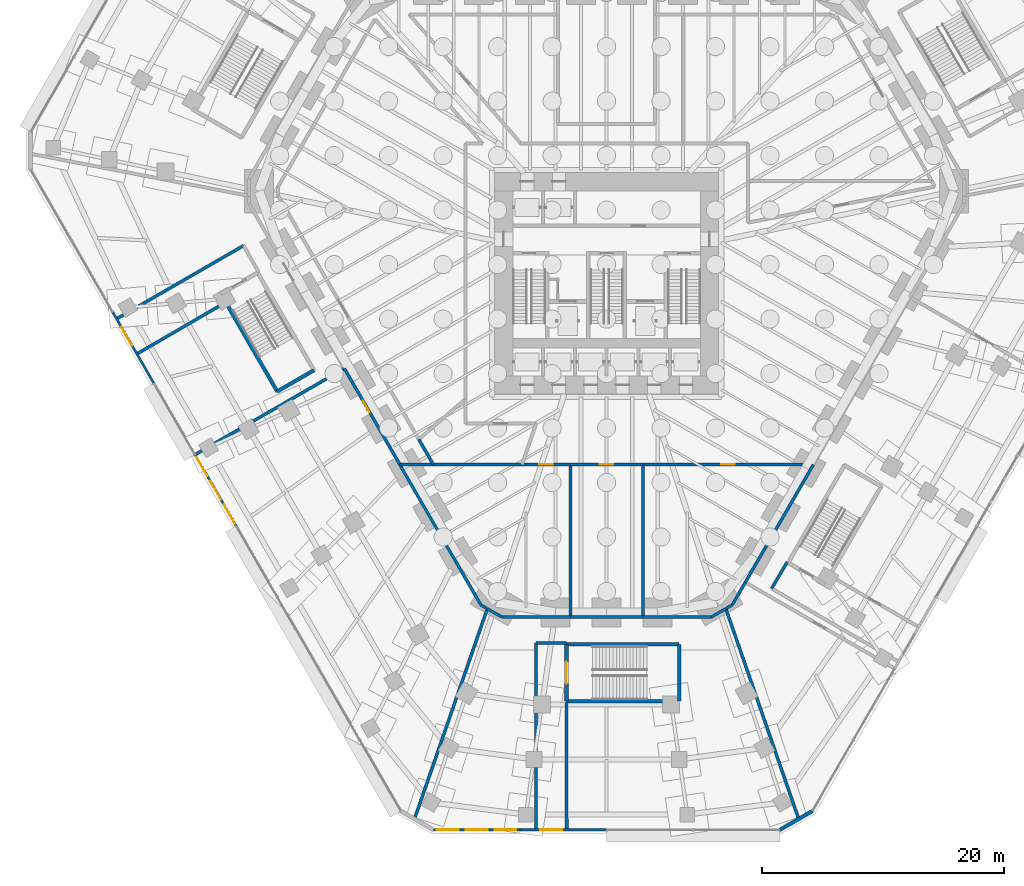
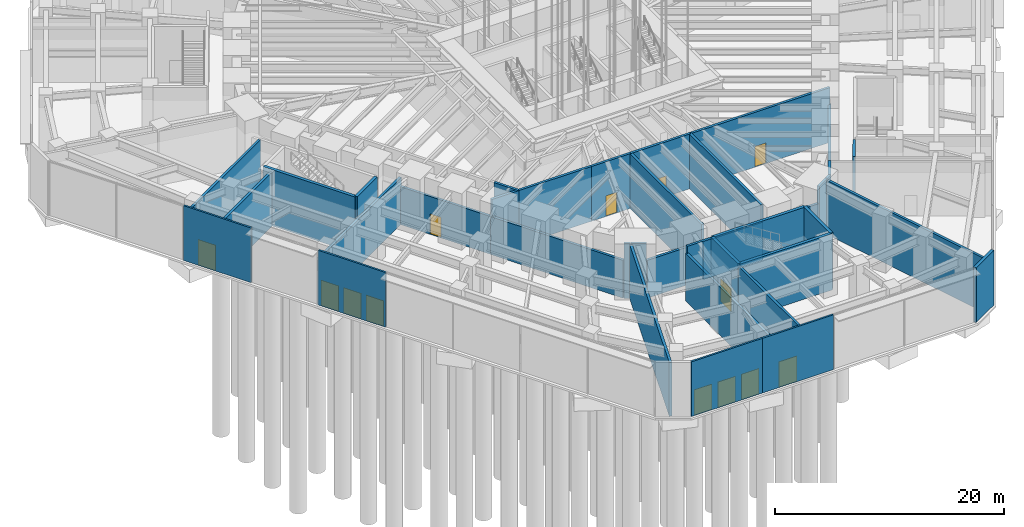
# One storey, part 18 of 34: 39 walls, 13 doors, 13 openings.
"""IFC4 building model written with IfcOpenShell, lengths in metres."""

from ifc_helpers import new_model, si_unit, direction, frame, frame_2d, origin, place, context, subcontext, project, spatial, rectangle, extrude, material, layer, layer_set, type_object, element, fill, save


model = new_model("IFC4")

# Units and contexts
model_context = context("Model", 3, precision=1e-05, world=origin(), true_north=direction((0.0, 1.0)))
body_context = subcontext(model_context, "Body", "Model", "MODEL_VIEW")
ifc_project = project(units=[si_unit("LENGTHUNIT", "METRE"), si_unit("AREAUNIT", "SQUARE_METRE"), si_unit("VOLUMEUNIT", "CUBIC_METRE"), si_unit("PLANEANGLEUNIT", "RADIAN"), si_unit("MASSUNIT", "GRAM", prefix="KILO")], contexts=[model_context])

# Site, building, storey
site_placement = place(None, origin())
site = spatial("IfcSite", under=ifc_project, at=site_placement, CompositionType="ELEMENT")
building_placement = place(site_placement, origin())
building = spatial("IfcBuilding", under=site, at=building_placement, Name="Sandreach Pilgrim Tower", CompositionType="ELEMENT")
storey_placement = place(building_placement, origin())
storey = spatial("IfcBuildingStorey", under=building, at=storey_placement, Name="L00", CompositionType="ELEMENT", Elevation=0.0)

# Wall, opening, door
ifc_material_1 = material(Name="Glazed aluminium screen", Category="aluminium")
ifc_layer_1 = layer(ifc_material_1, 0.179931640625)
ifc_layer_set_1 = layer_set([ifc_layer_1], Name="Glazed entrance screen wall")
wall_type_1 = type_object("IfcWallType", Name="Glazed entrance screen wall", PredefinedType="SOLIDWALL", material=ifc_layer_set_1)
wall_1_placement = place(storey_placement, frame((0.0, -46.681884765625, 0.0), z_axis=(0.0, 0.0, 1.0), x_axis=(-1.0, 0.0, 0.0)))
wall_1 = element("IfcWall", 1, at=wall_1_placement, inside=storey, type_object=wall_type_1, Name="Exit screen wall L00 S", PredefinedType="SOLIDWALL", context=body_context, shape_type="SweptSolid", body=[
    extrude(rectangle(XDim=7.156005859375, YDim=0.179931640625, at=frame_2d((3.578125, 0.0))), origin(), (0.0, 0.0, 1.0), 5.840087890625),
])
opening_1_placement = place(wall_1_placement, frame((3.6611328125, 0.0, 0.0)))
opening_1 = element("IfcOpeningElement", 2, at=opening_1_placement, cuts=wall_1, Name="Opening D18-SX", PredefinedType="OPENING", context=body_context, shape_type="SweptSolid", body=[
    extrude(rectangle(XDim=1.800048828125, YDim=2.699951171875, at=frame_2d((0.89990234375, 1.35009765625))), frame((0.0, 0.08984375, 0.0), z_axis=(0.0, -1.0, 0.0), x_axis=(1.0, 0.0, 0.0)), (0.0, 0.0, 1.0), 0.179931640625),
])
ifc_material_2 = material(Name="Aluminium and glass", Category="aluminium")
door_type_1 = type_object("IfcDoorType", Name="Entrance double door", OperationType="DOUBLE_DOOR_SINGLE_SWING", PredefinedType="DOOR", material=ifc_material_2)
door_1_placement = place(opening_1_placement, origin())
door_1 = element("IfcDoor", 3, at=door_1_placement, inside=storey, type_object=door_type_1, Name="Exit door L00 S from stair ST5", OperationType="SINGLE_SWING_LEFT", OverallHeight=2.699951171875, OverallWidth=1.800048828125, PredefinedType="DOOR", context=body_context, shape_type="SweptSolid", body=[
    extrude(rectangle(XDim=1.800048828125, YDim=2.699951171875, at=frame_2d((0.89990234375, 1.35009765625))), frame((0.0, 0.02490234375, 0.0), z_axis=(0.0, -1.0, 0.0), x_axis=(1.0, 0.0, 0.0)), (0.0, 0.0, 1.0), 0.050048828125),
])
fill(opening_1, door_1)

# Wall, openings, doors
wall_2_placement = place(storey_placement, frame((-7.156005859375, -46.681884765625, 0.0), z_axis=(0.0, 0.0, 1.0), x_axis=(-1.0, 0.0, 0.0)))
wall_2 = element("IfcWall", 4, at=wall_2_placement, inside=storey, type_object=wall_type_1, Name="Entrance screen wall L00 S", PredefinedType="SOLIDWALL", context=body_context, shape_type="SweptSolid", body=[
    extrude(rectangle(XDim=7.156005859375, YDim=0.179931640625, at=frame_2d((3.578125, 0.0))), origin(), (0.0, 0.0, 1.0), 5.840087890625),
])
opening_2_placement = place(wall_2_placement, frame((0.292724609375, 0.0, 0.0)))
opening_2 = element("IfcOpeningElement", 5, at=opening_2_placement, cuts=wall_2, Name="Opening D18-S1", PredefinedType="OPENING", context=body_context, shape_type="SweptSolid", body=[
    extrude(rectangle(XDim=1.800048828125, YDim=2.699951171875, at=frame_2d((0.89990234375, 1.35009765625))), frame((0.0, 0.08984375, 0.0), z_axis=(0.0, -1.0, 0.0), x_axis=(1.0, 0.0, 0.0)), (0.0, 0.0, 1.0), 0.179931640625),
])
opening_3_placement = place(wall_2_placement, frame((2.677978515625, 0.0, 0.0)))
opening_3 = element("IfcOpeningElement", 6, at=opening_3_placement, cuts=wall_2, Name="Opening D18-S2", PredefinedType="OPENING", context=body_context, shape_type="SweptSolid", body=[
    extrude(rectangle(XDim=1.800048828125, YDim=2.699951171875, at=frame_2d((0.89990234375, 1.35009765625))), frame((0.0, 0.08984375, 0.0), z_axis=(0.0, -1.0, 0.0), x_axis=(1.0, 0.0, 0.0)), (0.0, 0.0, 1.0), 0.179931640625),
])
opening_4_placement = place(wall_2_placement, frame((5.063232421875, 0.0, 0.0)))
opening_4 = element("IfcOpeningElement", 7, at=opening_4_placement, cuts=wall_2, Name="Opening D18-S3", PredefinedType="OPENING", context=body_context, shape_type="SweptSolid", body=[
    extrude(rectangle(XDim=1.800048828125, YDim=2.699951171875, at=frame_2d((0.89990234375, 1.35009765625))), frame((0.0, 0.08984375, 0.0), z_axis=(0.0, -1.0, 0.0), x_axis=(1.0, 0.0, 0.0)), (0.0, 0.0, 1.0), 0.179931640625),
])
door_2_placement = place(opening_2_placement, origin())
door_2 = element("IfcDoor", 8, at=door_2_placement, inside=storey, type_object=door_type_1, Name="Entrance door L00 S1", OperationType="SINGLE_SWING_LEFT", OverallHeight=2.699951171875, OverallWidth=1.800048828125, PredefinedType="DOOR", context=body_context, shape_type="SweptSolid", body=[
    extrude(rectangle(XDim=1.800048828125, YDim=2.699951171875, at=frame_2d((0.89990234375, 1.35009765625))), frame((0.0, 0.02490234375, 0.0), z_axis=(0.0, -1.0, 0.0), x_axis=(1.0, 0.0, 0.0)), (0.0, 0.0, 1.0), 0.050048828125),
])
fill(opening_2, door_2)
door_3_placement = place(opening_3_placement, origin())
door_3 = element("IfcDoor", 9, at=door_3_placement, inside=storey, type_object=door_type_1, Name="Entrance door L00 S2", OperationType="SINGLE_SWING_LEFT", OverallHeight=2.699951171875, OverallWidth=1.800048828125, PredefinedType="DOOR", context=body_context, shape_type="SweptSolid", body=[
    extrude(rectangle(XDim=1.800048828125, YDim=2.699951171875, at=frame_2d((0.89990234375, 1.35009765625))), frame((0.0, 0.02490234375, 0.0), z_axis=(0.0, -1.0, 0.0), x_axis=(1.0, 0.0, 0.0)), (0.0, 0.0, 1.0), 0.050048828125),
])
fill(opening_3, door_3)
door_4_placement = place(opening_4_placement, origin())
door_4 = element("IfcDoor", 10, at=door_4_placement, inside=storey, type_object=door_type_1, Name="Entrance door L00 S3", OperationType="SINGLE_SWING_LEFT", OverallHeight=2.699951171875, OverallWidth=1.800048828125, PredefinedType="DOOR", context=body_context, shape_type="SweptSolid", body=[
    extrude(rectangle(XDim=1.800048828125, YDim=2.699951171875, at=frame_2d((0.89990234375, 1.35009765625))), frame((0.0, 0.02490234375, 0.0), z_axis=(0.0, -1.0, 0.0), x_axis=(1.0, 0.0, 0.0)), (0.0, 0.0, 1.0), 0.050048828125),
])
fill(opening_4, door_4)

wall_3_placement = place(storey_placement, frame((-30.5908203125, -21.5859375, 0.0), z_axis=(0.0, 0.0, 1.0), x_axis=(-0.500013675503, 0.866017508085, 0.0)))
wall_3 = element("IfcWall", 11, at=wall_3_placement, inside=storey, type_object=wall_type_1, Name="Entrance screen wall L00 SW", PredefinedType="SOLIDWALL", context=body_context, shape_type="SweptSolid", body=[
    extrude(rectangle(XDim=6.797119140625, YDim=0.179931640625, at=frame_2d((3.3984375, 0.0))), origin(), (0.0, 0.0, 1.0), 5.840087890625),
])
opening_5_placement = place(wall_3_placement, frame((0.23291015625, 0.0, 0.0)))
opening_5 = element("IfcOpeningElement", 12, at=opening_5_placement, cuts=wall_3, Name="Opening D18-SW1", PredefinedType="OPENING", context=body_context, shape_type="SweptSolid", body=[
    extrude(rectangle(XDim=1.800048828125, YDim=2.699951171875, at=frame_2d((0.89990234375, 1.35009765625))), frame((0.0, 0.08984375, 0.0), z_axis=(0.0, -1.0, 0.0), x_axis=(1.0, 0.0, 0.0)), (0.0, 0.0, 1.0), 0.179931640625),
])
opening_6_placement = place(wall_3_placement, frame((2.49853515625, 0.0, 0.0)))
opening_6 = element("IfcOpeningElement", 13, at=opening_6_placement, cuts=wall_3, Name="Opening D18-SW2", PredefinedType="OPENING", context=body_context, shape_type="SweptSolid", body=[
    extrude(rectangle(XDim=1.800048828125, YDim=2.699951171875, at=frame_2d((0.89990234375, 1.35009765625))), frame((0.0, 0.08984375, 0.0), z_axis=(0.0, -1.0, 0.0), x_axis=(1.0, 0.0, 0.0)), (0.0, 0.0, 1.0), 0.179931640625),
])
opening_7_placement = place(wall_3_placement, frame((4.76416015625, 0.0, 0.0)))
opening_7 = element("IfcOpeningElement", 14, at=opening_7_placement, cuts=wall_3, Name="Opening D18-SW3", PredefinedType="OPENING", context=body_context, shape_type="SweptSolid", body=[
    extrude(rectangle(XDim=1.800048828125, YDim=2.699951171875, at=frame_2d((0.89990234375, 1.35009765625))), frame((0.0, 0.08984375, 0.0), z_axis=(0.0, -1.0, 0.0), x_axis=(1.0, 0.0, 0.0)), (0.0, 0.0, 1.0), 0.179931640625),
])
door_5_placement = place(opening_5_placement, origin())
door_5 = element("IfcDoor", 15, at=door_5_placement, inside=storey, type_object=door_type_1, Name="Entrance door L00 SW1", OperationType="SINGLE_SWING_LEFT", OverallHeight=2.699951171875, OverallWidth=1.800048828125, PredefinedType="DOOR", context=body_context, shape_type="SweptSolid", body=[
    extrude(rectangle(XDim=1.800048828125, YDim=2.699951171875, at=frame_2d((0.89990234375, 1.35009765625))), frame((0.0, 0.02490234375, 0.0), z_axis=(0.0, -1.0, 0.0), x_axis=(1.0, 0.0, 0.0)), (0.0, 0.0, 1.0), 0.050048828125),
])
fill(opening_5, door_5)
door_6_placement = place(opening_6_placement, origin())
door_6 = element("IfcDoor", 16, at=door_6_placement, inside=storey, type_object=door_type_1, Name="Entrance door L00 SW2", OperationType="SINGLE_SWING_LEFT", OverallHeight=2.699951171875, OverallWidth=1.800048828125, PredefinedType="DOOR", context=body_context, shape_type="SweptSolid", body=[
    extrude(rectangle(XDim=1.800048828125, YDim=2.699951171875, at=frame_2d((0.89990234375, 1.35009765625))), frame((0.0, 0.02490234375, 0.0), z_axis=(0.0, -1.0, 0.0), x_axis=(1.0, 0.0, 0.0)), (0.0, 0.0, 1.0), 0.050048828125),
])
fill(opening_6, door_6)
door_7_placement = place(opening_7_placement, origin())
door_7 = element("IfcDoor", 17, at=door_7_placement, inside=storey, type_object=door_type_1, Name="Entrance door L00 SW3", OperationType="SINGLE_SWING_LEFT", OverallHeight=2.699951171875, OverallWidth=1.800048828125, PredefinedType="DOOR", context=body_context, shape_type="SweptSolid", body=[
    extrude(rectangle(XDim=1.800048828125, YDim=2.699951171875, at=frame_2d((0.89990234375, 1.35009765625))), frame((0.0, 0.02490234375, 0.0), z_axis=(0.0, -1.0, 0.0), x_axis=(1.0, 0.0, 0.0)), (0.0, 0.0, 1.0), 0.050048828125),
])
fill(opening_7, door_7)

# Wall, opening, door
wall_4_placement = place(storey_placement, frame((-37.387939453125, -9.81298828125, 0.0), z_axis=(0.0, 0.0, 1.0), x_axis=(-0.500013675503, 0.866017508085, 0.0)))
wall_4 = element("IfcWall", 18, at=wall_4_placement, inside=storey, type_object=wall_type_1, Name="Exit screen wall L00 SW", PredefinedType="SOLIDWALL", context=body_context, shape_type="SweptSolid", body=[
    extrude(rectangle(XDim=6.797119140625, YDim=0.179931640625, at=frame_2d((3.3984375, 0.0))), origin(), (0.0, 0.0, 1.0), 5.840087890625),
])
opening_8_placement = place(wall_4_placement, frame((3.583984375, 0.0, 0.0)))
opening_8 = element("IfcOpeningElement", 19, at=opening_8_placement, cuts=wall_4, Name="Opening D18-SWX", PredefinedType="OPENING", context=body_context, shape_type="SweptSolid", body=[
    extrude(rectangle(XDim=1.800048828125, YDim=2.699951171875, at=frame_2d((0.89990234375, 1.35009765625))), frame((0.0, 0.08984375, 0.0), z_axis=(0.0, -1.0, 0.0), x_axis=(1.0, 0.0, 0.0)), (0.0, 0.0, 1.0), 0.179931640625),
])
door_8_placement = place(opening_8_placement, origin())
door_8 = element("IfcDoor", 20, at=door_8_placement, inside=storey, type_object=door_type_1, Name="Exit door L00 SW from stair ST9", OperationType="SINGLE_SWING_LEFT", OverallHeight=2.699951171875, OverallWidth=1.800048828125, PredefinedType="DOOR", context=body_context, shape_type="SweptSolid", body=[
    extrude(rectangle(XDim=1.800048828125, YDim=2.699951171875, at=frame_2d((0.89990234375, 1.35009765625))), frame((0.0, 0.02490234375, 0.0), z_axis=(0.0, -1.0, 0.0), x_axis=(1.0, 0.0, 0.0)), (0.0, 0.0, 1.0), 0.050048828125),
])
fill(opening_8, door_8)

# Walls
ifc_material_3 = material(Name="Acoustic gypsum board wall, double frame", Category="gypsum")
ifc_layer_2 = layer(ifc_material_3, 0.25)
ifc_layer_set_2 = layer_set([ifc_layer_2], Name="Hall partition 250")
wall_type_2 = type_object("IfcWallType", Name="Hall partition 250", PredefinedType="PARTITIONING", material=ifc_layer_set_2)
wall_5_placement = place(storey_placement, frame((-38.77392578125, -7.364990234375, 0.0), z_axis=(0.0, 0.0, 1.0), x_axis=(0.864590905175, 0.502476433964, 0.0)))
element("IfcWall", 21, at=wall_5_placement, inside=storey, type_object=wall_type_2, Name="Hall partition L00-001", PredefinedType="PARTITIONING", context=body_context, shape_type="SweptSolid", body=[
    extrude(rectangle(XDim=8.308837890625, YDim=0.25, at=frame_2d((4.154296875, 0.0))), origin(), (0.0, 0.0, 1.0), 5.75),
])
wall_6_placement = place(storey_placement, frame((-33.964111328125, -15.68505859375, 0.0), z_axis=(0.0, 0.0, 1.0), x_axis=(0.865990423019, 0.500060583569, 0.0)))
element("IfcWall", 22, at=wall_6_placement, inside=storey, type_object=wall_type_2, Name="Hall partition L00-002", PredefinedType="PARTITIONING", context=body_context, shape_type="SweptSolid", body=[
    extrude(rectangle(XDim=14.208251953125, YDim=0.25, at=frame_2d((7.10400390625, 0.0))), origin(), (0.0, 0.0, 1.0), 4.9931640625),
])
wall_7_placement = place(storey_placement, frame((-29.97998046875, 1.570068359375, 0.0), z_axis=(0.0, 0.0, 1.0), x_axis=(-0.866251190484, -0.499608721886, 0.0)))
element("IfcWall", 23, at=wall_7_placement, inside=storey, type_object=wall_type_2, Name="Hall partition L00-003", PredefinedType="PARTITIONING", context=body_context, shape_type="SweptSolid", body=[
    extrude(rectangle(XDim=12.079833984375, YDim=0.25, at=frame_2d((6.0400390625, 0.0))), origin(), (0.0, 0.0, 1.0), 5.75),
])

# Wall, opening, door
wall_8_placement = place(storey_placement, frame((-21.659912109375, -8.580078125, 0.0), z_axis=(0.0, 0.0, 1.0), x_axis=(0.50046740921, -0.865755376719, 0.0)))
wall_8 = element("IfcWall", 24, at=wall_8_placement, inside=storey, type_object=wall_type_2, Name="Hall partition L00-015", PredefinedType="PARTITIONING", context=body_context, shape_type="SweptSolid", body=[
    extrude(rectangle(XDim=9.171142578125, YDim=0.25, at=frame_2d((4.58544921875, 0.0))), origin(), (0.0, 0.0, 1.0), 4.0400390625),
])
opening_9_placement = place(wall_8_placement, frame((3.085693359375, 0.0, 0.0)))
opening_9 = element("IfcOpeningElement", 25, at=opening_9_placement, cuts=wall_8, Name="Opening D11H-05", PredefinedType="OPENING", context=body_context, shape_type="SweptSolid", body=[
    extrude(rectangle(XDim=1.10009765625, YDim=2.199951171875, at=frame_2d((0.550048828125, 1.10009765625))), frame((0.0, 0.125, 0.0), z_axis=(0.0, -1.0, 0.0), x_axis=(1.0, 0.0, 0.0)), (0.0, 0.0, 1.0), 0.25),
])
ifc_material_4 = material(Name="Steel door and frame", Category="steel")
door_type_2 = type_object("IfcDoorType", Name="Back of house door", OperationType="SINGLE_SWING_LEFT", PredefinedType="DOOR", material=ifc_material_4)
door_9_placement = place(opening_9_placement, origin())
door_9 = element("IfcDoor", 26, at=door_9_placement, inside=storey, type_object=door_type_2, Name="Door 0005", OperationType="SINGLE_SWING_LEFT", OverallHeight=2.199951171875, OverallWidth=1.10009765625, PredefinedType="DOOR", context=body_context, shape_type="SweptSolid", body=[
    extrude(rectangle(XDim=1.10009765625, YDim=2.199951171875, at=frame_2d((0.550048828125, 1.10009765625))), frame((0.0, 0.02490234375, 0.0), z_axis=(0.0, -1.0, 0.0), x_axis=(1.0, 0.0, 0.0)), (0.0, 0.0, 1.0), 0.050048828125),
])
fill(opening_9, door_9)

# Walls
wall_9_placement = place(storey_placement, frame((-17.080078125, -16.52001953125, 0.0), z_axis=(0.0, 0.0, 1.0), x_axis=(0.500484795969, -0.865745325719, 0.0)))
element("IfcWall", 27, at=wall_9_placement, inside=storey, type_object=wall_type_2, Name="Hall partition L00-021", PredefinedType="PARTITIONING", context=body_context, shape_type="SweptSolid", body=[
    extrude(rectangle(XDim=13.387451171875, YDim=0.25, at=frame_2d((6.69384765625, 0.0))), origin(), (0.0, 0.0, 1.0), 4.0400390625),
])
wall_10_placement = place(storey_placement, frame((-15.8701171875, -45.8017578125, 0.0), z_axis=(0.0, 0.0, 1.0), x_axis=(0.327267371913, 0.944931779168, 0.0)))
element("IfcWall", 28, at=wall_10_placement, inside=storey, type_object=wall_type_2, Name="Hall partition L00-023", PredefinedType="PARTITIONING", context=body_context, shape_type="SweptSolid", body=[
    extrude(rectangle(XDim=18.394775390625, YDim=0.25, at=frame_2d((9.197265625, 0.0))), origin(), (0.0, 0.0, 1.0), 5.75),
])
wall_11_placement = place(storey_placement, frame((-15.510009765625, -14.429931640625, 0.0), z_axis=(0.0, 0.0, 1.0), x_axis=(0.497894326365, -0.867237706614, 0.0)))
element("IfcWall", 29, at=wall_11_placement, inside=storey, type_object=wall_type_2, Name="Hall partition L00-024", PredefinedType="PARTITIONING", context=body_context, shape_type="SweptSolid", body=[
    extrude(rectangle(XDim=2.41015625, YDim=0.25, at=frame_2d((1.205078125, 0.0))), origin(), (0.0, 0.0, 1.0), 5.840087890625),
])
wall_12_placement = place(storey_placement, frame((-14.31005859375, -16.52001953125, 0.0), z_axis=(0.0, 0.0, 1.0), x_axis=(-1.0, 0.0, 0.0)))
element("IfcWall", 30, at=wall_12_placement, inside=storey, type_object=wall_type_2, Name="Hall partition L00-025", PredefinedType="PARTITIONING", context=body_context, shape_type="SweptSolid", body=[
    extrude(rectangle(XDim=2.760009765625, YDim=0.25, at=frame_2d((1.3798828125, 0.0))), origin(), (0.0, 0.0, 1.0), 5.840087890625),
])
wall_13_placement = place(storey_placement, frame((-10.3798828125, -28.110107421875, 0.0), z_axis=(0.0, 0.0, 1.0), x_axis=(0.865714845822, -0.5005375168, 0.0)))
element("IfcWall", 31, at=wall_13_placement, inside=storey, type_object=wall_type_2, Name="Hall partition L00-030", PredefinedType="PARTITIONING", context=body_context, shape_type="SweptSolid", body=[
    extrude(rectangle(XDim=0.578857421875, YDim=0.25, at=frame_2d((0.28955078125, 0.0))), origin(), (0.0, 0.0, 1.0), 5.840087890625),
])
wall_14_placement = place(storey_placement, frame((-8.64990234375, -29.110107421875, 0.0), z_axis=(0.0, 0.0, 1.0), x_axis=(-0.866883441829, 0.498510880807, 0.0)))
element("IfcWall", 32, at=wall_14_placement, inside=storey, type_object=wall_type_2, Name="Hall partition L00-032", PredefinedType="PARTITIONING", context=body_context, shape_type="SweptSolid", body=[
    extrude(rectangle(XDim=1.384521484375, YDim=0.25, at=frame_2d((0.6923828125, 0.0))), origin(), (0.0, 0.0, 1.0), 5.840087890625),
])
wall_15_placement = place(storey_placement, frame((-8.64990234375, -29.110107421875, 0.0), z_axis=(0.0, 0.0, 1.0), x_axis=(1.0, 0.0, 0.0)))
element("IfcWall", 33, at=wall_15_placement, inside=storey, type_object=wall_type_2, Name="Hall partition L00-033", PredefinedType="PARTITIONING", context=body_context, shape_type="SweptSolid", body=[
    extrude(rectangle(XDim=5.64990234375, YDim=0.25, at=frame_2d((2.824951171875, 0.0))), origin(), (0.0, 0.0, 1.0), 4.0400390625),
])
wall_16_placement = place(storey_placement, frame((-6.989990234375, -16.52001953125, 0.0), z_axis=(0.0, 0.0, 1.0), x_axis=(-1.0, 0.0, 0.0)))
element("IfcWall", 34, at=wall_16_placement, inside=storey, type_object=wall_type_2, Name="Hall partition L00-035", PredefinedType="PARTITIONING", context=body_context, shape_type="SweptSolid", body=[
    extrude(rectangle(XDim=7.320068359375, YDim=0.25, at=frame_2d((3.66015625, 0.0))), origin(), (0.0, 0.0, 1.0), 5.840087890625),
])
wall_17_placement = place(storey_placement, frame((-5.830078125, -31.239990234375, 0.0), z_axis=(0.0, 0.0, 1.0), x_axis=(0.0, -1.0, 0.0)))
element("IfcWall", 35, at=wall_17_placement, inside=storey, type_object=wall_type_2, Name="Hall partition L00-036", PredefinedType="PARTITIONING", context=body_context, shape_type="SweptSolid", body=[
    extrude(rectangle(XDim=15.409912109375, YDim=0.25, at=frame_2d((7.705078125, 0.0))), origin(), (0.0, 0.0, 1.0), 5.0830078125),
])
wall_18_placement = place(storey_placement, frame((-3.31005859375, -31.260009765625, 0.0), z_axis=(0.0, 0.0, 1.0), x_axis=(-0.999968446362, 0.007943946193, 0.0)))
element("IfcWall", 36, at=wall_18_placement, inside=storey, type_object=wall_type_2, Name="Hall partition L00-041", PredefinedType="PARTITIONING", context=body_context, shape_type="SweptSolid", body=[
    extrude(rectangle(XDim=2.52001953125, YDim=0.25, at=frame_2d((1.260009765625, 0.0))), origin(), (0.0, 0.0, 1.0), 5.840087890625),
])
wall_19_placement = place(storey_placement, frame((-3.2900390625, -46.64990234375, 0.0), z_axis=(0.0, 0.0, 1.0), x_axis=(-0.001908437887, 0.999998178931, 0.0)))
element("IfcWall", 37, at=wall_19_placement, inside=storey, type_object=wall_type_2, Name="Hall partition L00-042", PredefinedType="PARTITIONING", context=body_context, shape_type="SweptSolid", body=[
    extrude(rectangle(XDim=10.489990234375, YDim=0.25, at=frame_2d((5.2451171875, 0.0))), origin(), (0.0, 0.0, 1.0), 5.75),
])
wall_20_placement = place(storey_placement, frame((-3.0, -29.110107421875, 0.0), z_axis=(0.0, 0.0, 1.0), x_axis=(1.0, 0.0, 0.0)))
element("IfcWall", 38, at=wall_20_placement, inside=storey, type_object=wall_type_2, Name="Hall partition L00-043", PredefinedType="PARTITIONING", context=body_context, shape_type="SweptSolid", body=[
    extrude(rectangle(XDim=6.0, YDim=0.25, at=frame_2d((3.0, 0.0))), origin(), (0.0, 0.0, 1.0), 4.0400390625),
])

# Wall, opening, door
wall_21_placement = place(storey_placement, frame((-3.0, -16.52001953125, 0.0), z_axis=(0.0, 0.0, 1.0), x_axis=(-1.0, 0.0, 0.0)))
wall_21 = element("IfcWall", 39, at=wall_21_placement, inside=storey, type_object=wall_type_2, Name="Hall partition L00-044", PredefinedType="PARTITIONING", context=body_context, shape_type="SweptSolid", body=[
    extrude(rectangle(XDim=3.989990234375, YDim=0.25, at=frame_2d((1.9951171875, 0.0))), origin(), (0.0, 0.0, 1.0), 5.840087890625),
])
opening_10_placement = place(wall_21_placement, frame((1.445068359375, 0.0, 0.0)))
opening_10 = element("IfcOpeningElement", 40, at=opening_10_placement, cuts=wall_21, Name="Opening D11H-T1", PredefinedType="OPENING", context=body_context, shape_type="SweptSolid", body=[
    extrude(rectangle(XDim=1.10009765625, YDim=2.199951171875, at=frame_2d((0.550048828125, 1.10009765625))), frame((0.0, 0.125, 0.0), z_axis=(0.0, -1.0, 0.0), x_axis=(1.0, 0.0, 0.0)), (0.0, 0.0, 1.0), 0.25),
])
door_10_placement = place(opening_10_placement, origin())
door_10 = element("IfcDoor", 41, at=door_10_placement, inside=storey, type_object=door_type_2, Name="Door 00T1", OperationType="SINGLE_SWING_LEFT", OverallHeight=2.199951171875, OverallWidth=1.10009765625, PredefinedType="DOOR", context=body_context, shape_type="SweptSolid", body=[
    extrude(rectangle(XDim=1.10009765625, YDim=2.199951171875, at=frame_2d((0.550048828125, 1.10009765625))), frame((0.0, 0.02490234375, 0.0), z_axis=(0.0, -1.0, 0.0), x_axis=(1.0, 0.0, 0.0)), (0.0, 0.0, 1.0), 0.050048828125),
])
fill(opening_10, door_10)

# Walls
wall_22_placement = place(storey_placement, frame((-3.0, -16.52001953125, 0.0), z_axis=(0.0, 0.0, 1.0), x_axis=(0.0, -1.0, 0.0)))
element("IfcWall", 42, at=wall_22_placement, inside=storey, type_object=wall_type_2, Name="Hall partition L00-045", PredefinedType="PARTITIONING", context=body_context, shape_type="SweptSolid", body=[
    extrude(rectangle(XDim=12.590087890625, YDim=0.25, at=frame_2d((6.294921875, 0.0))), origin(), (0.0, 0.0, 1.0), 5.840087890625),
])
wall_23_placement = place(storey_placement, frame((3.0, -29.110107421875, 0.0), z_axis=(0.0, 0.0, 1.0), x_axis=(1.0, 0.0, 0.0)))
element("IfcWall", 43, at=wall_23_placement, inside=storey, type_object=wall_type_2, Name="Hall partition L00-046", PredefinedType="PARTITIONING", context=body_context, shape_type="SweptSolid", body=[
    extrude(rectangle(XDim=5.64990234375, YDim=0.25, at=frame_2d((2.824951171875, 0.0))), origin(), (0.0, 0.0, 1.0), 4.0400390625),
])

# Wall, opening, door
wall_24_placement = place(storey_placement, frame((3.0, -16.52001953125, 0.0), z_axis=(0.0, 0.0, 1.0), x_axis=(-1.0, 0.0, 0.0)))
wall_24 = element("IfcWall", 44, at=wall_24_placement, inside=storey, type_object=wall_type_2, Name="Hall partition L00-047", PredefinedType="PARTITIONING", context=body_context, shape_type="SweptSolid", body=[
    extrude(rectangle(XDim=6.0, YDim=0.25, at=frame_2d((3.0, 0.0))), origin(), (0.0, 0.0, 1.0), 5.840087890625),
])
opening_11_placement = place(wall_24_placement, frame((2.449951171875, 0.0, 0.0)))
opening_11 = element("IfcOpeningElement", 45, at=opening_11_placement, cuts=wall_24, Name="Opening D11H-T2", PredefinedType="OPENING", context=body_context, shape_type="SweptSolid", body=[
    extrude(rectangle(XDim=1.10009765625, YDim=2.199951171875, at=frame_2d((0.550048828125, 1.10009765625))), frame((0.0, 0.125, 0.0), z_axis=(0.0, -1.0, 0.0), x_axis=(1.0, 0.0, 0.0)), (0.0, 0.0, 1.0), 0.25),
])
door_11_placement = place(opening_11_placement, origin())
door_11 = element("IfcDoor", 46, at=door_11_placement, inside=storey, type_object=door_type_2, Name="Door 00T2", OperationType="SINGLE_SWING_LEFT", OverallHeight=2.199951171875, OverallWidth=1.10009765625, PredefinedType="DOOR", context=body_context, shape_type="SweptSolid", body=[
    extrude(rectangle(XDim=1.10009765625, YDim=2.199951171875, at=frame_2d((0.550048828125, 1.10009765625))), frame((0.0, 0.02490234375, 0.0), z_axis=(0.0, -1.0, 0.0), x_axis=(1.0, 0.0, 0.0)), (0.0, 0.0, 1.0), 0.050048828125),
])
fill(opening_11, door_11)

# Walls
wall_25_placement = place(storey_placement, frame((3.0, -16.52001953125, 0.0), z_axis=(0.0, 0.0, 1.0), x_axis=(0.0, -1.0, 0.0)))
element("IfcWall", 47, at=wall_25_placement, inside=storey, type_object=wall_type_2, Name="Hall partition L00-048", PredefinedType="PARTITIONING", context=body_context, shape_type="SweptSolid", body=[
    extrude(rectangle(XDim=12.590087890625, YDim=0.25, at=frame_2d((6.294921875, 0.0))), origin(), (0.0, 0.0, 1.0), 5.840087890625),
])
wall_26_placement = place(storey_placement, frame((8.64990234375, -29.110107421875, 0.0), z_axis=(0.0, 0.0, 1.0), x_axis=(0.865736025111, 0.500500883941, 0.0)))
element("IfcWall", 48, at=wall_26_placement, inside=storey, type_object=wall_type_2, Name="Hall partition L00-057", PredefinedType="PARTITIONING", context=body_context, shape_type="SweptSolid", body=[
    extrude(rectangle(XDim=1.38427734375, YDim=0.25, at=frame_2d((0.692138671875, 0.0))), origin(), (0.0, 0.0, 1.0), 5.840087890625),
])
wall_27_placement = place(storey_placement, frame((9.85009765625, -28.419921875, 0.0), z_axis=(0.0, 0.0, 1.0), x_axis=(0.327267371913, -0.944931779168, 0.0)))
element("IfcWall", 49, at=wall_27_placement, inside=storey, type_object=wall_type_2, Name="Hall partition L00-058", PredefinedType="PARTITIONING", context=body_context, shape_type="SweptSolid", body=[
    extrude(rectangle(XDim=18.394775390625, YDim=0.25, at=frame_2d((9.197265625, 0.0))), origin(), (0.0, 0.0, 1.0), 5.75),
])
wall_28_placement = place(storey_placement, frame((10.3798828125, -28.110107421875, 0.0), z_axis=(0.0, 0.0, 1.0), x_axis=(-0.865714845822, -0.5005375168, 0.0)))
element("IfcWall", 50, at=wall_28_placement, inside=storey, type_object=wall_type_2, Name="Hall partition L00-059", PredefinedType="PARTITIONING", context=body_context, shape_type="SweptSolid", body=[
    extrude(rectangle(XDim=0.578857421875, YDim=0.25, at=frame_2d((0.28955078125, 0.0))), origin(), (0.0, 0.0, 1.0), 5.840087890625),
])
wall_29_placement = place(storey_placement, frame((10.3798828125, -28.110107421875, 0.0), z_axis=(0.0, 0.0, 1.0), x_axis=(0.500126914667, 0.865952117167, 0.0)))
element("IfcWall", 51, at=wall_29_placement, inside=storey, type_object=wall_type_2, Name="Hall partition L00-060", PredefinedType="PARTITIONING", context=body_context, shape_type="SweptSolid", body=[
    extrude(rectangle(XDim=2.15966796875, YDim=0.25, at=frame_2d((1.079833984375, 0.0))), origin(), (0.0, 0.0, 1.0), 5.840087890625),
])
wall_30_placement = place(storey_placement, frame((11.4599609375, -26.239990234375, 0.0), z_axis=(0.0, 0.0, 1.0), x_axis=(0.500553622729, 0.865705533523, 0.0)))
element("IfcWall", 52, at=wall_30_placement, inside=storey, type_object=wall_type_2, Name="Hall partition L00-061", PredefinedType="PARTITIONING", context=body_context, shape_type="SweptSolid", body=[
    extrude(rectangle(XDim=11.227783203125, YDim=0.25, at=frame_2d((5.61376953125, 0.0))), origin(), (0.0, 0.0, 1.0), 4.0400390625),
])
wall_31_placement = place(storey_placement, frame((14.909912109375, -24.580078125, 0.0), z_axis=(0.0, 0.0, 1.0), x_axis=(-0.508082727165, -0.861308273707, 0.0)))
element("IfcWall", 53, at=wall_31_placement, inside=storey, type_object=wall_type_2, Name="Hall partition L00-068", PredefinedType="PARTITIONING", context=body_context, shape_type="SweptSolid", body=[
    extrude(rectangle(XDim=2.519287109375, YDim=0.25, at=frame_2d((1.259765625, 0.0))), origin(), (0.0, 0.0, 1.0), 5.840087890625),
])

# Wall, opening, door
wall_32_placement = place(storey_placement, frame((17.070068359375, -16.52001953125, 0.0), z_axis=(0.0, 0.0, 1.0), x_axis=(-1.0, 0.0, 0.0)))
wall_32 = element("IfcWall", 54, at=wall_32_placement, inside=storey, type_object=wall_type_2, Name="Hall partition L00-070", PredefinedType="PARTITIONING", context=body_context, shape_type="SweptSolid", body=[
    extrude(rectangle(XDim=14.070068359375, YDim=0.25, at=frame_2d((7.03515625, 0.0))), origin(), (0.0, 0.0, 1.0), 5.840087890625),
])
opening_12_placement = place(wall_32_placement, frame((6.485107421875, 0.0, 0.0)))
opening_12 = element("IfcOpeningElement", 55, at=opening_12_placement, cuts=wall_32, Name="Opening D11H-T3", PredefinedType="OPENING", context=body_context, shape_type="SweptSolid", body=[
    extrude(rectangle(XDim=1.10009765625, YDim=2.199951171875, at=frame_2d((0.550048828125, 1.10009765625))), frame((0.0, 0.125, 0.0), z_axis=(0.0, -1.0, 0.0), x_axis=(1.0, 0.0, 0.0)), (0.0, 0.0, 1.0), 0.25),
])
door_12_placement = place(opening_12_placement, origin())
door_12 = element("IfcDoor", 56, at=door_12_placement, inside=storey, type_object=door_type_2, Name="Door 00T3", OperationType="SINGLE_SWING_LEFT", OverallHeight=2.199951171875, OverallWidth=1.10009765625, PredefinedType="DOOR", context=body_context, shape_type="SweptSolid", body=[
    extrude(rectangle(XDim=1.10009765625, YDim=2.199951171875, at=frame_2d((0.550048828125, 1.10009765625))), frame((0.0, 0.02490234375, 0.0), z_axis=(0.0, -1.0, 0.0), x_axis=(1.0, 0.0, 0.0)), (0.0, 0.0, 1.0), 0.050048828125),
])
fill(opening_12, door_12)

# Walls
ifc_material_5 = material(Name="Concrete 8000 psi", Category="concrete")
ifc_layer_3 = layer(ifc_material_5, 0.300048828125)
ifc_layer_set_3 = layer_set([ifc_layer_3], Name="Podium stair enclosure 300")
wall_type_3 = type_object("IfcWallType", Name="Podium stair enclosure 300", PredefinedType="SHEAR", material=ifc_layer_set_3)
wall_33_placement = place(storey_placement, frame((-3.311279296875, -31.36083984375, 0.0), z_axis=(0.0, 0.0, 1.0), x_axis=(1.0, 0.0, 0.0)))
element("IfcWall", 57, at=wall_33_placement, inside=storey, type_object=wall_type_3, Name="Stair ST5 enclosure L00 1", PredefinedType="SHEAR", context=body_context, shape_type="SweptSolid", body=[
    extrude(rectangle(XDim=9.300048828125, YDim=0.300048828125, at=frame_2d((4.64990234375, 0.0))), origin(), (0.0, 0.0, 1.0), 6.0),
])
wall_34_placement = place(storey_placement, frame((5.98876953125, -31.36083984375, 0.0), z_axis=(0.0, 0.0, 1.0), x_axis=(0.0, -1.0, 0.0)))
element("IfcWall", 58, at=wall_34_placement, inside=storey, type_object=wall_type_3, Name="Stair ST5 enclosure L00 2", PredefinedType="SHEAR", context=body_context, shape_type="SweptSolid", body=[
    extrude(rectangle(XDim=4.699951171875, YDim=0.300048828125, at=frame_2d((2.35009765625, 0.0))), origin(), (0.0, 0.0, 1.0), 6.0),
])
wall_35_placement = place(storey_placement, frame((5.98876953125, -36.060791015625, 0.0), z_axis=(0.0, 0.0, 1.0), x_axis=(-1.0, 0.0, 0.0)))
element("IfcWall", 59, at=wall_35_placement, inside=storey, type_object=wall_type_3, Name="Stair ST5 enclosure L00 3", PredefinedType="SHEAR", context=body_context, shape_type="SweptSolid", body=[
    extrude(rectangle(XDim=9.300048828125, YDim=0.300048828125, at=frame_2d((4.64990234375, 0.0))), origin(), (0.0, 0.0, 1.0), 6.0),
])

# Wall, opening, door
wall_36_placement = place(storey_placement, frame((-3.311279296875, -36.060791015625, 0.0), z_axis=(0.0, 0.0, 1.0), x_axis=(0.0, 1.0, 0.0)))
wall_36 = element("IfcWall", 60, at=wall_36_placement, inside=storey, type_object=wall_type_3, Name="Stair ST5 enclosure L00 4", PredefinedType="SHEAR", context=body_context, shape_type="SweptSolid", body=[
    extrude(rectangle(XDim=4.699951171875, YDim=0.300048828125, at=frame_2d((2.35009765625, 0.0))), origin(), (0.0, 0.0, 1.0), 6.0),
])
opening_13_placement = place(wall_36_placement, frame((1.449951171875, 0.0, 0.0)))
opening_13 = element("IfcOpeningElement", 61, at=opening_13_placement, cuts=wall_36, Name="Opening D18S-ST5", PredefinedType="OPENING", context=body_context, shape_type="SweptSolid", body=[
    extrude(rectangle(XDim=1.800048828125, YDim=2.39990234375, at=frame_2d((0.89990234375, 1.199951171875))), frame((0.0, 0.14990234375, 0.0), z_axis=(0.0, -1.0, 0.0), x_axis=(1.0, 0.0, 0.0)), (0.0, 0.0, 1.0), 0.300048828125),
])
ifc_material_6 = material(Name="Steel door and frame", Category="steel")
door_type_3 = type_object("IfcDoorType", Name="Podium stair door", OperationType="DOUBLE_DOOR_SINGLE_SWING", PredefinedType="DOOR", material=ifc_material_6)
door_13_placement = place(opening_13_placement, origin())
door_13 = element("IfcDoor", 62, at=door_13_placement, inside=storey, type_object=door_type_3, Name="Stair door ST5 L00", OperationType="DOUBLE_DOOR_SINGLE_SWING", OverallHeight=2.39990234375, OverallWidth=1.800048828125, PredefinedType="DOOR", context=body_context, shape_type="SweptSolid", body=[
    extrude(rectangle(XDim=1.800048828125, YDim=2.39990234375, at=frame_2d((0.89990234375, 1.199951171875))), frame((0.0, 0.02490234375, 0.0), z_axis=(0.0, -1.0, 0.0), x_axis=(1.0, 0.0, 0.0)), (0.0, 0.0, 1.0), 0.050048828125),
])
fill(opening_13, door_13)

# Walls
wall_37_placement = place(storey_placement, frame((-24.17431640625, -8.7265625, 0.0), z_axis=(0.0, 0.0, 1.0), x_axis=(-0.866019471182, -0.500010275428, 0.0)))
element("IfcWall", 63, at=wall_37_placement, inside=storey, type_object=wall_type_3, Name="Stair ST9 enclosure L00 2", PredefinedType="SHEAR", context=body_context, shape_type="SweptSolid", body=[
    extrude(rectangle(XDim=3.5, YDim=0.300048828125, at=frame_2d((1.75, 0.0))), origin(), (0.0, 0.0, 1.0), 6.0),
])
wall_38_placement = place(storey_placement, frame((-27.205322265625, -10.4765625, 0.0), z_axis=(0.0, 0.0, 1.0), x_axis=(-0.499984536904, 0.866034331223, 0.0)))
element("IfcWall", 64, at=wall_38_placement, inside=storey, type_object=wall_type_3, Name="Stair ST9 enclosure L00 3", PredefinedType="SHEAR", context=body_context, shape_type="SweptSolid", body=[
    extrude(rectangle(XDim=9.300048828125, YDim=0.300048828125, at=frame_2d((4.64990234375, 0.0))), origin(), (0.0, 0.0, 1.0), 6.0),
])
ifc_material_7 = material(Name="Terracotta rainscreen on concrete", Category="masonry")
ifc_layer_4 = layer(ifc_material_7, 0.300048828125)
ifc_layer_set_4 = layer_set([ifc_layer_4], Name="Terracotta chamfer pier")
wall_type_4 = type_object("IfcWallType", Name="Terracotta chamfer pier", PredefinedType="SOLIDWALL", material=ifc_layer_set_4)
wall_39_placement = place(storey_placement, frame((16.99658203125, -45.1318359375, 0.0), z_axis=(0.0, 0.0, 1.0), x_axis=(-0.86600983753, -0.500026960575, 0.0)))
element("IfcWall", 65, at=wall_39_placement, inside=storey, type_object=wall_type_4, Name="Chamfer pier L00 SE", PredefinedType="SOLIDWALL", context=body_context, shape_type="SweptSolid", body=[
    extrude(rectangle(XDim=3.099853515625, YDim=0.300048828125, at=frame_2d((1.5498046875, 0.0))), origin(), (0.0, 0.0, 1.0), 5.840087890625),
])

save(model, "model.ifc")
